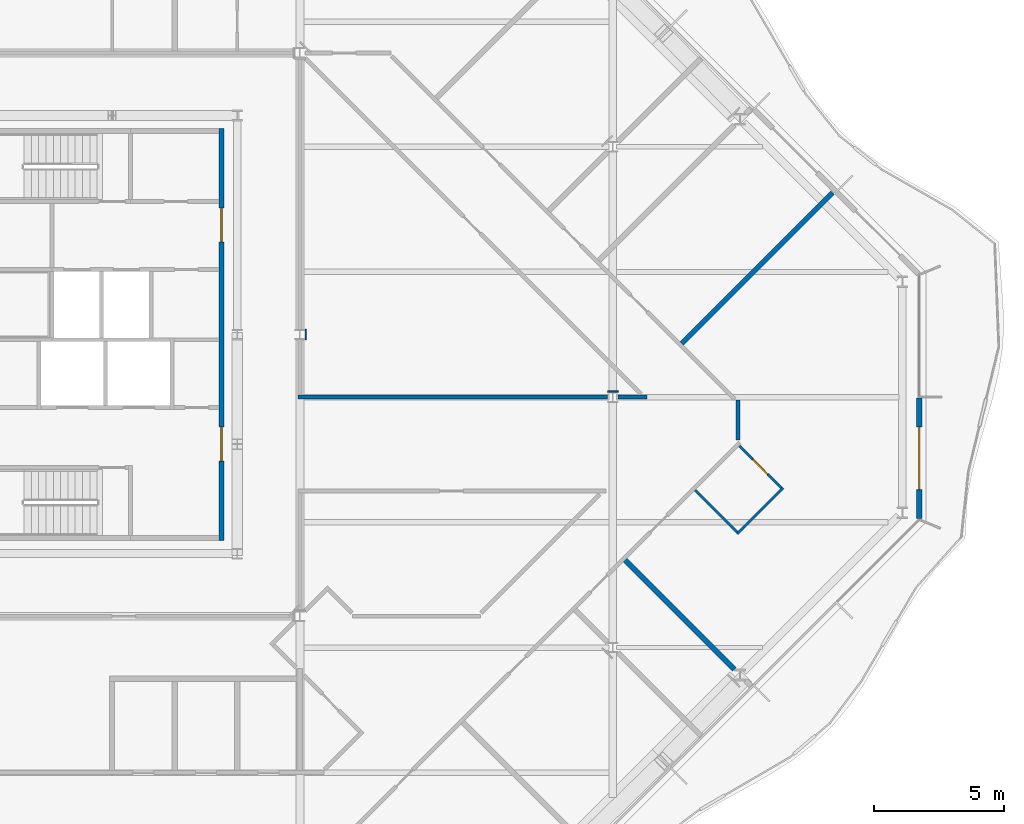
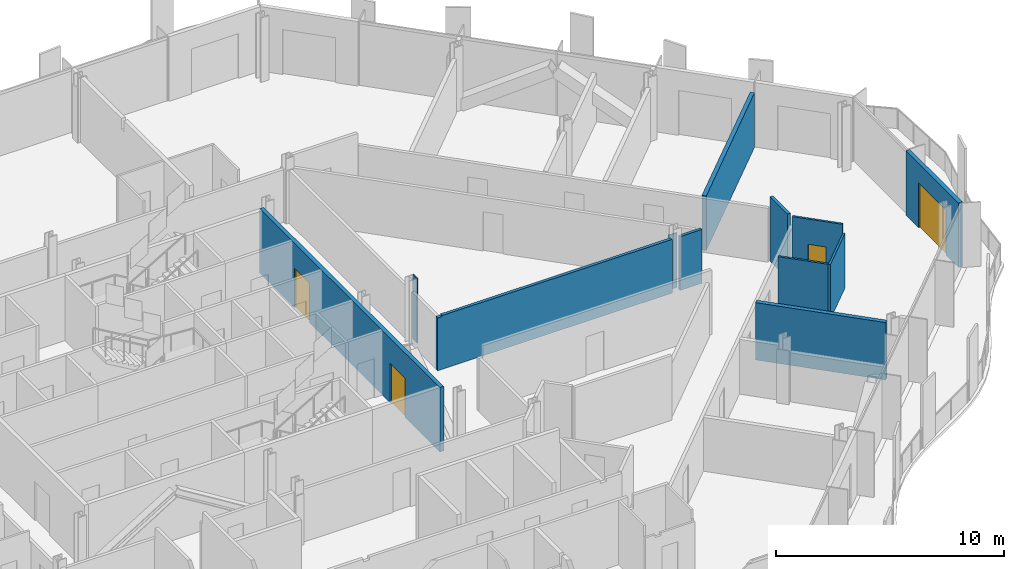
# One storey, part 10 of 17: 12 walls, 4 doors, 4 openings.
"""IFC4 building model written with IfcOpenShell, lengths in metres."""

from ifc_helpers import new_model, si_unit, direction, frame, frame_2d, origin, place, context, subcontext, project, spatial, polyline, rectangle, outline, extrude, material, layer, layer_set, type_object, element, fill, save


model = new_model("IFC4")

# Units and contexts
model_context = context("Model", 3, precision=1e-05, world=origin(), true_north=direction((0.0, 1.0)))
body_context = subcontext(model_context, "Body", "Model", "MODEL_VIEW")
ifc_project = project(units=[si_unit("LENGTHUNIT", "METRE"), si_unit("AREAUNIT", "SQUARE_METRE"), si_unit("VOLUMEUNIT", "CUBIC_METRE"), si_unit("PLANEANGLEUNIT", "RADIAN"), si_unit("MASSUNIT", "GRAM", prefix="KILO")], contexts=[model_context])

# Site, building, storey
site_placement = place(None, origin())
site = spatial("IfcSite", under=ifc_project, at=site_placement, CompositionType="ELEMENT")
building_placement = place(site_placement, origin())
building = spatial("IfcBuilding", under=site, at=building_placement, Name="Cairn Pilgrim Tower", CompositionType="ELEMENT")
storey_placement = place(building_placement, frame((0.0, 0.0, 217.800048828125)))
storey = spatial("IfcBuildingStorey", under=building, at=storey_placement, Name="L55", CompositionType="ELEMENT", Elevation=217.800048828125)

# Wall, opening, door
ifc_material_1 = material(Name="Bronze anodised aluminium insulated sandwich panel with mineral wool fill", Category="aluminium")
ifc_layer_1 = layer(ifc_material_1, 0.199951171875)
ifc_layer_set_1 = layer_set([ifc_layer_1], Name="BRONZE INFILL FRAME WALL 200")
wall_type_1 = type_object("IfcWallType", Name="BRONZE INFILL FRAME WALL 200", PredefinedType="NOTDEFINED", material=ifc_layer_set_1)
wall_1_placement = place(storey_placement, frame((42.949951171875, -4.656494140625, 0.0), z_axis=(0.0, 0.0, 1.0), x_axis=(0.0, 1.0, 0.0)))
wall_1 = element("IfcWall", 1, at=wall_1_placement, inside=storey, type_object=wall_type_1, Name="Bronze infill frame wall IW-E1", PredefinedType="NOTDEFINED", context=body_context, shape_type="SweptSolid", body=[
    extrude(rectangle(XDim=4.62646484375, YDim=0.199951171875, at=frame_2d((2.313232421875, 0.0))), origin(), (0.0, 0.0, 1.0), 3.449951171875),
])
opening_1_placement = place(wall_1_placement, frame((1.1083984375, 0.0, 0.0)))
opening_1 = element("IfcOpeningElement", 2, at=opening_1_placement, cuts=wall_1, Name="Opening 5504B", PredefinedType="OPENING", context=body_context, shape_type="SweptSolid", body=[
    extrude(rectangle(XDim=2.39990234375, YDim=2.39990234375, at=frame_2d((1.199951171875, 1.199951171875))), frame((0.0, 0.10986328125, 0.0), z_axis=(0.0, -1.0, 0.0), x_axis=(1.0, 0.0, 0.0)), (0.0, 0.0, 1.0), 0.219970703125),
])
ifc_material_2 = material(Name="Bronze anodised aluminium frame with tinted low-E glass", Category="aluminium")
door_type_1 = type_object("IfcDoorType", Name="BALCONY SLIDING DOOR 2400x2400", OperationType="DOUBLE_DOOR_SLIDING", PredefinedType="DOOR", material=ifc_material_2)
door_1_placement = place(opening_1_placement, origin())
door_1 = element("IfcDoor", 3, at=door_1_placement, inside=storey, type_object=door_type_1, Name="Balcony sliding door 5504B", OperationType="SINGLE_SWING_LEFT", OverallHeight=2.39990234375, OverallWidth=2.39990234375, PredefinedType="DOOR", context=body_context, shape_type="SweptSolid", body=[
    extrude(rectangle(XDim=2.39990234375, YDim=2.39990234375, at=frame_2d((1.199951171875, 1.199951171875))), frame((0.0, 0.02490234375, 0.0), z_axis=(0.0, -1.0, 0.0), x_axis=(1.0, 0.0, 0.0)), (0.0, 0.0, 1.0), 0.050048828125),
])
fill(opening_1, door_1)

# Wall, openings, doors
ifc_material_3 = material(Name="Concrete C32/40", Category="concrete")
ifc_layer_2 = layer(ifc_material_3, 0.199951171875)
ifc_layer_set_2 = layer_set([ifc_layer_2], Name="CORE OUTER WALL 200 EI 120")
wall_type_2 = type_object("IfcWallType", Name="CORE OUTER WALL 200 EI 120", PredefinedType="SOLIDWALL", material=ifc_layer_set_2)
wall_2_placement = place(storey_placement, frame((16.199951171875, -5.5, 0.0), z_axis=(0.0, 0.0, 1.0), x_axis=(0.0, 1.0, 0.0)))
wall_2 = element("IfcWall", 4, at=wall_2_placement, inside=storey, type_object=wall_type_2, Name="CW:L55:V30", PredefinedType="SOLIDWALL", context=body_context, shape_type="SweptSolid", body=[
    extrude(rectangle(XDim=15.800048828125, YDim=0.199951171875, at=frame_2d((7.89990234375, 0.0))), origin(), (0.0, 0.0, 1.0), 3.449951171875),
])
opening_2_placement = place(wall_2_placement, frame((3.050048828125, 0.0, 0.0)))
opening_2 = element("IfcOpeningElement", 5, at=opening_2_placement, cuts=wall_2, Name="Opening CD-E1", PredefinedType="OPENING", context=body_context, shape_type="SweptSolid", body=[
    extrude(rectangle(XDim=1.300048828125, YDim=2.10009765625, at=frame_2d((0.64990234375, 1.050048828125))), frame((0.0, 0.10986328125, 0.0), z_axis=(0.0, -1.0, 0.0), x_axis=(1.0, 0.0, 0.0)), (0.0, 0.0, 1.0), 0.219970703125),
])
opening_3_placement = place(wall_2_placement, frame((11.449951171875, 0.0, 0.0)))
opening_3 = element("IfcOpeningElement", 6, at=opening_3_placement, cuts=wall_2, Name="Opening CD-E2", PredefinedType="OPENING", context=body_context, shape_type="SweptSolid", body=[
    extrude(rectangle(XDim=1.300048828125, YDim=2.10009765625, at=frame_2d((0.64990234375, 1.050048828125))), frame((0.0, 0.10986328125, 0.0), z_axis=(0.0, -1.0, 0.0), x_axis=(1.0, 0.0, 0.0)), (0.0, 0.0, 1.0), 0.219970703125),
])
ifc_material_4 = material(Name="Painted steel", Category="steel")
door_type_2 = type_object("IfcDoorType", Name="CORE LOBBY DOOR 1300x2100", OperationType="DOUBLE_DOOR_SINGLE_SWING", PredefinedType="DOOR", material=ifc_material_4)
door_2_placement = place(opening_2_placement, origin())
door_2 = element("IfcDoor", 7, at=door_2_placement, inside=storey, type_object=door_type_2, Name="CD-E1", OperationType="DOUBLE_DOOR_SINGLE_SWING", OverallHeight=2.10009765625, OverallWidth=1.300048828125, PredefinedType="DOOR", context=body_context, shape_type="SweptSolid", body=[
    extrude(rectangle(XDim=1.300048828125, YDim=2.10009765625, at=frame_2d((0.64990234375, 1.050048828125))), frame((0.0, 0.02490234375, 0.0), z_axis=(0.0, -1.0, 0.0), x_axis=(1.0, 0.0, 0.0)), (0.0, 0.0, 1.0), 0.050048828125),
])
fill(opening_2, door_2)
door_3_placement = place(opening_3_placement, origin())
door_3 = element("IfcDoor", 8, at=door_3_placement, inside=storey, type_object=door_type_2, Name="CD-E2", OperationType="DOUBLE_DOOR_SINGLE_SWING", OverallHeight=2.10009765625, OverallWidth=1.300048828125, PredefinedType="DOOR", context=body_context, shape_type="SweptSolid", body=[
    extrude(rectangle(XDim=1.300048828125, YDim=2.10009765625, at=frame_2d((0.64990234375, 1.050048828125))), frame((0.0, 0.02490234375, 0.0), z_axis=(0.0, -1.0, 0.0), x_axis=(1.0, 0.0, 0.0)), (0.0, 0.0, 1.0), 0.050048828125),
])
fill(opening_3, door_3)

# Walls
ifc_material_5 = material(Name="Gypsum partition")
ifc_layer_3 = layer(ifc_material_5, 0.10009765625)
ifc_layer_set_3 = layer_set([ifc_layer_3], Name="PARTITION 100 DRYWALL")
wall_type_3 = type_object("IfcWallType", Name="PARTITION 100 DRYWALL", PredefinedType="PARTITIONING", material=ifc_layer_set_3)
wall_3_placement = place(storey_placement, frame((35.964599609375, -5.176513671875, 0.0), z_axis=(0.0, 0.0, 1.0), x_axis=(-0.707160441348, 0.707053116953, 0.0)))
element("IfcWall", 9, at=wall_3_placement, inside=storey, type_object=wall_type_3, Name="PARTITION W046", PredefinedType="PARTITIONING", context=body_context, shape_type="SweptSolid", body=[
    extrude(rectangle(XDim=2.27490234375, YDim=0.10009765625, at=frame_2d((1.137451171875, 0.0))), origin(), (0.0, 0.0, 1.0), 2.929931640625),
])
wall_4_placement = place(storey_placement, frame((35.964599609375, -5.247314453125, 0.0), z_axis=(0.0, 0.0, 1.0), x_axis=(0.707155609469, 0.707057949532, 0.0)))
element("IfcWall", 10, at=wall_4_placement, inside=storey, type_object=wall_type_3, Name="PARTITION W047", PredefinedType="PARTITIONING", context=body_context, shape_type="SweptSolid", body=[
    extrude(rectangle(XDim=2.5, YDim=0.10009765625, at=frame_2d((1.25, 0.0))), origin(), (0.0, 0.0, 1.0), 2.929931640625),
])

# Wall, opening, door
wall_5_placement = place(storey_placement, frame((37.66162109375, -3.4794921875, 0.0), z_axis=(0.0, 0.0, 1.0), x_axis=(-0.707160441348, 0.707053116953, 0.0)))
wall_5 = element("IfcWall", 11, at=wall_5_placement, inside=storey, type_object=wall_type_3, Name="PARTITION W050", PredefinedType="PARTITIONING", context=body_context, shape_type="SweptSolid", body=[
    extrude(rectangle(XDim=2.27490234375, YDim=0.10009765625, at=frame_2d((1.137451171875, 0.0))), origin(), (0.0, 0.0, 1.0), 3.449951171875),
])
opening_4_placement = place(wall_5_placement, frame((0.75, 0.0, 0.0)))
opening_4 = element("IfcOpeningElement", 12, at=opening_4_placement, cuts=wall_5, Name="Opening 5504A", PredefinedType="OPENING", context=body_context, shape_type="SweptSolid", body=[
    extrude(rectangle(XDim=0.800048828125, YDim=2.10009765625, at=frame_2d((0.39990234375, 1.050048828125))), frame((0.0, 0.06005859375, 0.0), z_axis=(0.0, -1.0, 0.0), x_axis=(1.0, 0.0, 0.0)), (0.0, 0.0, 1.0), 0.1201171875),
])
ifc_material_6 = material(Name="Timber door leaf", Category="wood")
door_type_3 = type_object("IfcDoorType", Name="WC DOOR 800x2100", OperationType="NOTDEFINED", PredefinedType="DOOR", material=ifc_material_6)
door_4_placement = place(opening_4_placement, frame((0.800048828125, 0.0, 0.0), z_axis=(0.0, 0.0, 1.0), x_axis=(-1.0, 0.0, 0.0)))
door_4 = element("IfcDoor", 13, at=door_4_placement, inside=storey, type_object=door_type_3, Name="DOOR 5504A", OperationType="SINGLE_SWING_LEFT", OverallHeight=2.10009765625, OverallWidth=0.800048828125, PredefinedType="DOOR", context=body_context, shape_type="SweptSolid", body=[
    extrude(rectangle(XDim=0.800048828125, YDim=2.10009765625, at=frame_2d((0.39990234375, 1.050048828125))), frame((0.0, 0.02490234375, 0.0), z_axis=(0.0, -1.0, 0.0), x_axis=(1.0, 0.0, 0.0)), (0.0, 0.0, 1.0), 0.050048828125),
])
fill(opening_4, door_4)

# Walls
ifc_layer_4 = layer(ifc_material_5, 0.14990234375)
ifc_layer_set_4 = layer_set([ifc_layer_4], Name="PARTITION 150 DRYWALL EI 60")
wall_type_4 = type_object("IfcWallType", Name="PARTITION 150 DRYWALL EI 60", PredefinedType="PARTITIONING", material=ifc_layer_set_4)
wall_6_placement = place(storey_placement, frame((36.0, -1.636962890625, 0.0), z_axis=(0.0, 0.0, 1.0), x_axis=(0.0, 1.0, 0.0)))
element("IfcWall", 14, at=wall_6_placement, inside=storey, type_object=wall_type_4, Name="PARTITION W051", PredefinedType="PARTITIONING", context=body_context, shape_type="SweptSolid", body=[
    extrude(outline(polyline([(0.0, 0.0), (1.537109375, 0.0), (1.537109375, 2.8798828125), (1.531982421875, 2.8798828125), (1.52978515625, 3.449951171875), (0.0, 3.449951171875), (0.0, 0.0)])), frame((0.0, 0.074951171875, 0.0), z_axis=(0.0, -1.0, 0.0), x_axis=(1.0, 0.0, 0.0)), (0.0, 0.0, 1.0), 0.14990234375),
])
wall_7_placement = place(storey_placement, frame((19.125, 0.0, 0.0), z_axis=(0.0, 0.0, 1.0), x_axis=(1.0, 0.0, 0.0)))
element("IfcWall", 15, at=wall_7_placement, inside=storey, type_object=wall_type_4, Name="PARTITION W053", PredefinedType="PARTITIONING", context=body_context, shape_type="SweptSolid", body=[
    extrude(outline(polyline([(0.0, 0.0), (11.87548828125, 0.0), (11.87548828125, 2.8798828125), (0.22509765625, 2.8798828125), (0.222900390625, 2.829833984375), (0.0, 2.829833984375), (0.0, 0.0)])), frame((0.0, 0.074951171875, 0.0), z_axis=(0.0, -1.0, 0.0), x_axis=(1.0, 0.0, 0.0)), (0.0, 0.0, 1.0), 0.14990234375),
])
wall_8_placement = place(storey_placement, frame((31.3994140625, 0.0, 0.0), z_axis=(0.0, 0.0, 1.0), x_axis=(1.0, 0.0, 0.0)))
element("IfcWall", 16, at=wall_8_placement, inside=storey, type_object=wall_type_4, Name="PARTITION W054", PredefinedType="PARTITIONING", context=body_context, shape_type="SweptSolid", body=[
    extrude(rectangle(XDim=1.106689453125, YDim=0.14990234375, at=frame_2d((0.55322265625, 0.0))), origin(), (0.0, 0.0, 1.0), 2.8798828125),
])
ifc_layer_5 = layer(ifc_material_5, 0.050048828125)
ifc_layer_set_5 = layer_set([ifc_layer_5], Name="PARTITION 50 DRYWALL EI 60")
wall_type_5 = type_object("IfcWallType", Name="PARTITION 50 DRYWALL EI 60", PredefinedType="PARTITIONING", material=ifc_layer_set_5)
wall_9_placement = place(storey_placement, frame((31.00048828125, 0.221435546875, 0.0), z_axis=(0.0, 0.0, 1.0), x_axis=(1.0, 0.0, 0.0)))
element("IfcWall", 17, at=wall_9_placement, inside=storey, type_object=wall_type_5, Name="COLUMN CASING WC14", PredefinedType="PARTITIONING", context=body_context, shape_type="SweptSolid", body=[
    extrude(rectangle(XDim=0.39892578125, YDim=0.050048828125, at=frame_2d((0.199462890625, 0.0))), origin(), (0.0, 0.0, 1.0), 2.929931640625),
])
wall_10_placement = place(storey_placement, frame((19.424560546875, 2.20361328125, 0.0), z_axis=(0.0, 0.0, 1.0), x_axis=(0.0, 1.0, 0.0)))
element("IfcWall", 18, at=wall_10_placement, inside=storey, type_object=wall_type_5, Name="COLUMN CASING WC15", PredefinedType="PARTITIONING", context=body_context, shape_type="SweptSolid", body=[
    extrude(rectangle(XDim=0.392822265625, YDim=0.050048828125, at=frame_2d((0.1962890625, 0.0))), origin(), (0.0, 0.0, 1.0), 3.449951171875),
])
ifc_layer_6 = layer(ifc_material_5, 0.199951171875)
ifc_layer_set_6 = layer_set([ifc_layer_6], Name="SHAFT WALL 200 GYPSUM EI 60")
wall_type_6 = type_object("IfcWallType", Name="SHAFT WALL 200 GYPSUM EI 60", PredefinedType="PARTITIONING", material=ifc_layer_set_6)
wall_11_placement = place(storey_placement, frame((35.860107421875, -10.43603515625, 0.0), z_axis=(0.0, 0.0, 1.0), x_axis=(-0.707106781187, 0.707106781187, 0.0)))
element("IfcWall", 19, at=wall_11_placement, inside=storey, type_object=wall_type_6, Name="PARTITION W032", PredefinedType="PARTITIONING", context=body_context, shape_type="SweptSolid", body=[
    extrude(rectangle(XDim=5.919921875, YDim=0.199951171875, at=frame_2d((2.9599609375, 0.0))), origin(), (0.0, 0.0, 1.0), 3.070068359375),
])
wall_12_placement = place(storey_placement, frame((33.843017578125, 2.056884765625, 0.0), z_axis=(0.0, 0.0, 1.0), x_axis=(0.70709185088, 0.707121711178, 0.0)))
element("IfcWall", 20, at=wall_12_placement, inside=storey, type_object=wall_type_6, Name="PARTITION W057", PredefinedType="PARTITIONING", context=body_context, shape_type="SweptSolid", body=[
    extrude(rectangle(XDim=8.176025390625, YDim=0.199951171875, at=frame_2d((4.087890625, 0.0))), origin(), (0.0, 0.0, 1.0), 2.929931640625),
])

save(model, "model.ifc")
